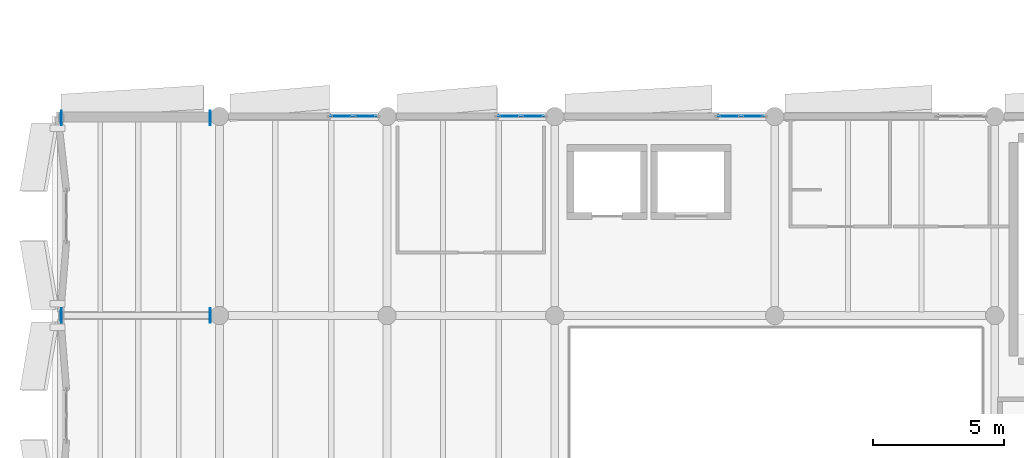
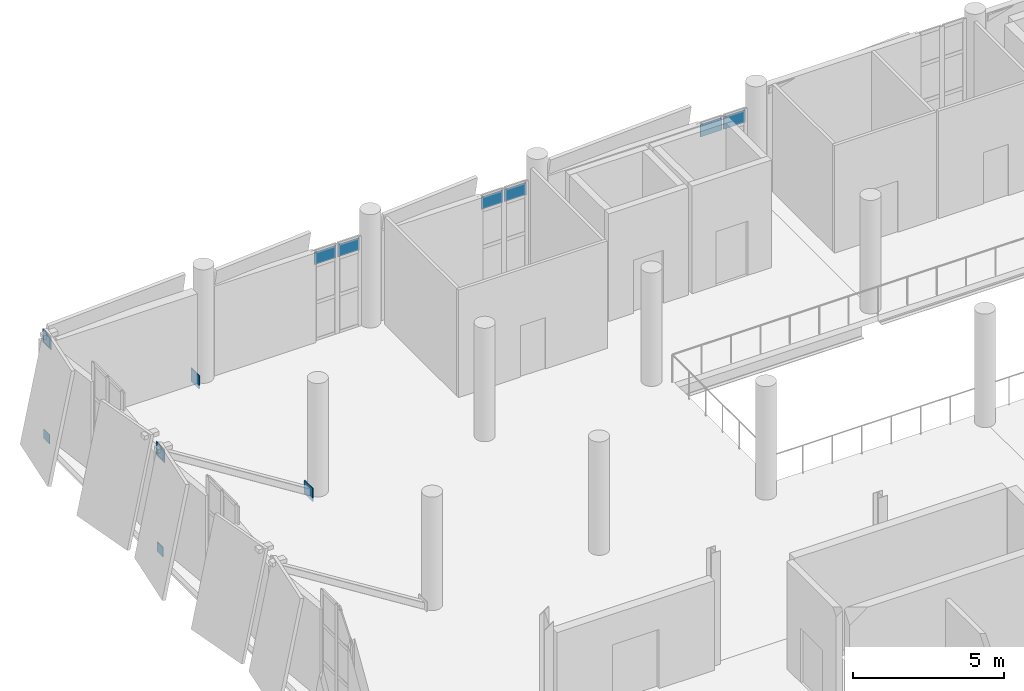
# One storey, part 56 of 74: 14 plates, 3 elements without a shape of their own.
"""IFC4 building model written with IfcOpenShell, lengths in metres."""

from ifc_helpers import new_model, si_unit, direction, frame, origin, origin_2d, place, context, subcontext, project, spatial, rectangle, extrude, material, layer, layer_set, type_object, element, aggregate, save


model = new_model("IFC4")

# Units and contexts
model_context = context("Model", 3, precision=1e-05, world=origin(), true_north=direction((0.0, 1.0)))
body_context = subcontext(model_context, "Body", "Model", "MODEL_VIEW")
ifc_project = project(units=[si_unit("LENGTHUNIT", "METRE"), si_unit("AREAUNIT", "SQUARE_METRE"), si_unit("VOLUMEUNIT", "CUBIC_METRE"), si_unit("PLANEANGLEUNIT", "RADIAN"), si_unit("MASSUNIT", "GRAM", prefix="KILO")], contexts=[model_context])

# Site, building, storey
site_placement = place(None, origin())
site = spatial("IfcSite", under=ifc_project, at=site_placement, CompositionType="ELEMENT")
building_placement = place(site_placement, origin())
building = spatial("IfcBuilding", under=site, at=building_placement, Name="Shengluoqiao Park Theatre", CompositionType="ELEMENT")
storey_placement = place(building_placement, frame((0.0, 0.0, 14.60009765625)))
storey = spatial("IfcBuildingStorey", under=building, at=storey_placement, Name="L03", CompositionType="ELEMENT", Elevation=14.60009765625)

# Curtain wall, plates
ifc_material_1 = material(Name="Aluminium 6063-T6", Category="aluminium")
curtain_wall_type = type_object("IfcCurtainWallType", Name="ENV-CW-FOYER", PredefinedType="NOTDEFINED", material=ifc_material_1)
curtain_wall_1_placement = place(storey_placement, origin())
curtain_wall_1 = element("IfcCurtainWall", 1, at=curtain_wall_1_placement, inside=storey, type_object=curtain_wall_type, Name="L03 Curtain Wall CW-L03-0076", PredefinedType="NOTDEFINED")
ifc_material_2 = material(Name="Insulated glass", Category="glass")
ifc_layer_1 = layer(ifc_material_2, 0.0380859375, Name="Insulated glass")
ifc_layer_set_1 = layer_set([ifc_layer_1], Name="Insulated glass")
plate_type_1 = type_object("IfcPlateType", Name="ENV-GLZ-GL-38", PredefinedType="CURTAIN_PANEL", material=ifc_layer_set_1)
plate_1_placement = place(storey_placement, frame((11.067138671875, 76.0, 3.08251953125), z_axis=(0.0, 0.0, 1.0), x_axis=(1.0, 0.0, 0.0)))
plate_1 = element("IfcPlate", 2, at=plate_1_placement, type_object=plate_type_1, Name="CW-01 panel 1.3", PredefinedType="CURTAIN_PANEL", context=body_context, shape_type="SweptSolid", body=[
    extrude(rectangle(XDim=0.83251953125, YDim=0.0380859375, at=origin_2d()), origin(), (0.0, 0.0, 1.0), 0.490478515625),
])
plate_2_placement = place(storey_placement, frame((11.96484375, 76.0, 3.08251953125), z_axis=(0.0, 0.0, 1.0), x_axis=(1.0, 0.0, 0.0)))
plate_2 = element("IfcPlate", 3, at=plate_2_placement, type_object=plate_type_1, Name="CW-01 panel 2.3", PredefinedType="CURTAIN_PANEL", context=body_context, shape_type="SweptSolid", body=[
    extrude(rectangle(XDim=0.83251953125, YDim=0.0380859375, at=origin_2d()), origin(), (0.0, 0.0, 1.0), 0.490478515625),
])
aggregate(curtain_wall_1, [plate_1, plate_2])

curtain_wall_2_placement = place(storey_placement, origin())
curtain_wall_2 = element("IfcCurtainWall", 4, at=curtain_wall_2_placement, inside=storey, type_object=curtain_wall_type, Name="L03 Curtain Wall CW-L03-0077", PredefinedType="NOTDEFINED")
plate_3_placement = place(storey_placement, frame((17.46728515625, 76.0, 3.08251953125), z_axis=(0.0, 0.0, 1.0), x_axis=(1.0, 0.0, 0.0)))
plate_3 = element("IfcPlate", 5, at=plate_3_placement, type_object=plate_type_1, Name="CW-01 panel 1.3", PredefinedType="CURTAIN_PANEL", context=body_context, shape_type="SweptSolid", body=[
    extrude(rectangle(XDim=0.83251953125, YDim=0.0380859375, at=origin_2d()), origin(), (0.0, 0.0, 1.0), 0.490478515625),
])
plate_4_placement = place(storey_placement, frame((18.36474609375, 76.0, 3.08251953125), z_axis=(0.0, 0.0, 1.0), x_axis=(1.0, 0.0, 0.0)))
plate_4 = element("IfcPlate", 6, at=plate_4_placement, type_object=plate_type_1, Name="CW-01 panel 2.3", PredefinedType="CURTAIN_PANEL", context=body_context, shape_type="SweptSolid", body=[
    extrude(rectangle(XDim=0.83251953125, YDim=0.0380859375, at=origin_2d()), origin(), (0.0, 0.0, 1.0), 0.490478515625),
])
aggregate(curtain_wall_2, [plate_3, plate_4])

curtain_wall_3_placement = place(storey_placement, origin())
curtain_wall_3 = element("IfcCurtainWall", 7, at=curtain_wall_3_placement, inside=storey, type_object=curtain_wall_type, Name="L03 Curtain Wall CW-L03-0078", PredefinedType="NOTDEFINED")
plate_5_placement = place(storey_placement, frame((25.8671875, 76.0, 3.08251953125), z_axis=(0.0, 0.0, 1.0), x_axis=(1.0, 0.0, 0.0)))
plate_5 = element("IfcPlate", 8, at=plate_5_placement, type_object=plate_type_1, Name="CW-01 panel 1.3", PredefinedType="CURTAIN_PANEL", context=body_context, shape_type="SweptSolid", body=[
    extrude(rectangle(XDim=0.83251953125, YDim=0.0380859375, at=origin_2d()), origin(), (0.0, 0.0, 1.0), 0.490478515625),
])
plate_6_placement = place(storey_placement, frame((26.7646484375, 76.0, 3.08251953125), z_axis=(0.0, 0.0, 1.0), x_axis=(1.0, 0.0, 0.0)))
plate_6 = element("IfcPlate", 9, at=plate_6_placement, type_object=plate_type_1, Name="CW-01 panel 2.3", PredefinedType="CURTAIN_PANEL", context=body_context, shape_type="SweptSolid", body=[
    extrude(rectangle(XDim=0.83251953125, YDim=0.0380859375, at=origin_2d()), origin(), (0.0, 0.0, 1.0), 0.490478515625),
])
aggregate(curtain_wall_3, [plate_5, plate_6])

# Plates
ifc_material_3 = material(Name="Steel Q390", Category="steel")
ifc_layer_2 = layer(ifc_material_3, 0.02392578125, Name="Steel Q390")
ifc_layer_set_2 = layer_set([ifc_layer_2], Name="Steel Q390")
plate_type_2 = type_object("IfcPlateType", Name="STR-PLT-EC-360", PredefinedType="SHEET", material=ifc_layer_set_2)
for number, where, z_axis, x_axis, name in (
    (10, (0.360107421875, 68.39990234375, -0.44091796875), (0.0, 0.0, 1.0), (1.0, 0.0, 0.0), "Hollow Tube End Cap Plate 00106"),
    (11, (0.360107421875, 68.39990234375, 3.48095703125), (0.0, 0.0, 1.0), (1.0, 0.0, 0.0), "Hollow Tube End Cap Plate 00107"),
    (12, (0.360107421875, 75.93994140625, -0.44091796875), (0.0, 0.0, 1.0), (1.0, 0.0, 0.0), "Hollow Tube End Cap Plate 00118"),
    (13, (0.360107421875, 75.93994140625, 3.48095703125), (0.0, 0.0, 1.0), (1.0, 0.0, 0.0), "Hollow Tube End Cap Plate 00119"),
):
    element("IfcPlate", number, at=place(storey_placement, frame(where, z_axis=z_axis, x_axis=x_axis)), inside=storey, type_object=plate_type_2, Name=name, PredefinedType="SHEET", context=body_context, shape_type="SweptSolid", body=[
        extrude(rectangle(XDim=0.02392578125, YDim=0.3798828125, at=origin_2d()), origin(), (0.0, 0.0, 1.0), 0.3798828125),
    ])
ifc_layer_3 = layer(ifc_material_3, 0.033935546875, Name="Steel Q390")
ifc_layer_set_3 = layer_set([ifc_layer_3], Name="Steel Q390")
plate_type_3 = type_object("IfcPlateType", Name="STR-PLT-EC-540", PredefinedType="SHEET", material=ifc_layer_set_3)
for number, where, z_axis, x_axis, name in (
    (14, (6.052978515625, 68.39990234375, -0.142822265625), (0.0, 0.0, 1.0), (-1.0, 0.0, 0.0), "Hollow Tube End Cap Plate 00104"),
    (15, (0.371826171875, 68.39990234375, 3.42236328125), (0.0, 0.0, 1.0), (-1.0, 0.0, 0.0), "Hollow Tube End Cap Plate 00105"),
    (16, (6.052978515625, 75.93994140625, -0.142822265625), (0.0, 0.0, 1.0), (-1.0, 0.0, 0.0), "Hollow Tube End Cap Plate 00116"),
    (17, (0.371826171875, 75.93994140625, 3.42236328125), (0.0, 0.0, 1.0), (-1.0, 0.0, 0.0), "Hollow Tube End Cap Plate 00117"),
):
    element("IfcPlate", number, at=place(storey_placement, frame(where, z_axis=z_axis, x_axis=x_axis)), inside=storey, type_object=plate_type_3, Name=name, PredefinedType="SHEET", context=body_context, shape_type="SweptSolid", body=[
        extrude(rectangle(XDim=0.033935546875, YDim=0.5400390625, at=origin_2d()), origin(), (0.0, 0.0, 1.0), 0.5400390625),
    ])

save(model, "model.ifc")
